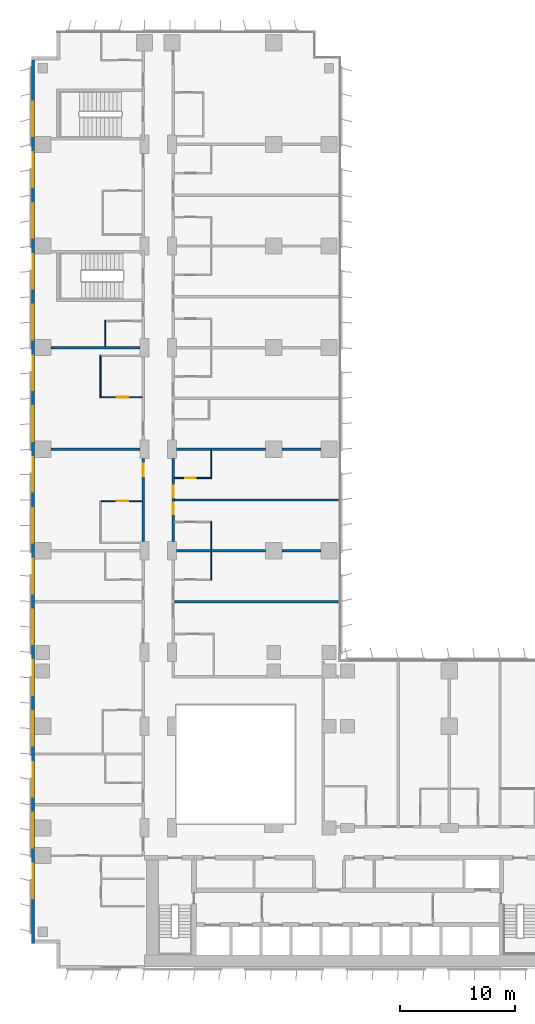
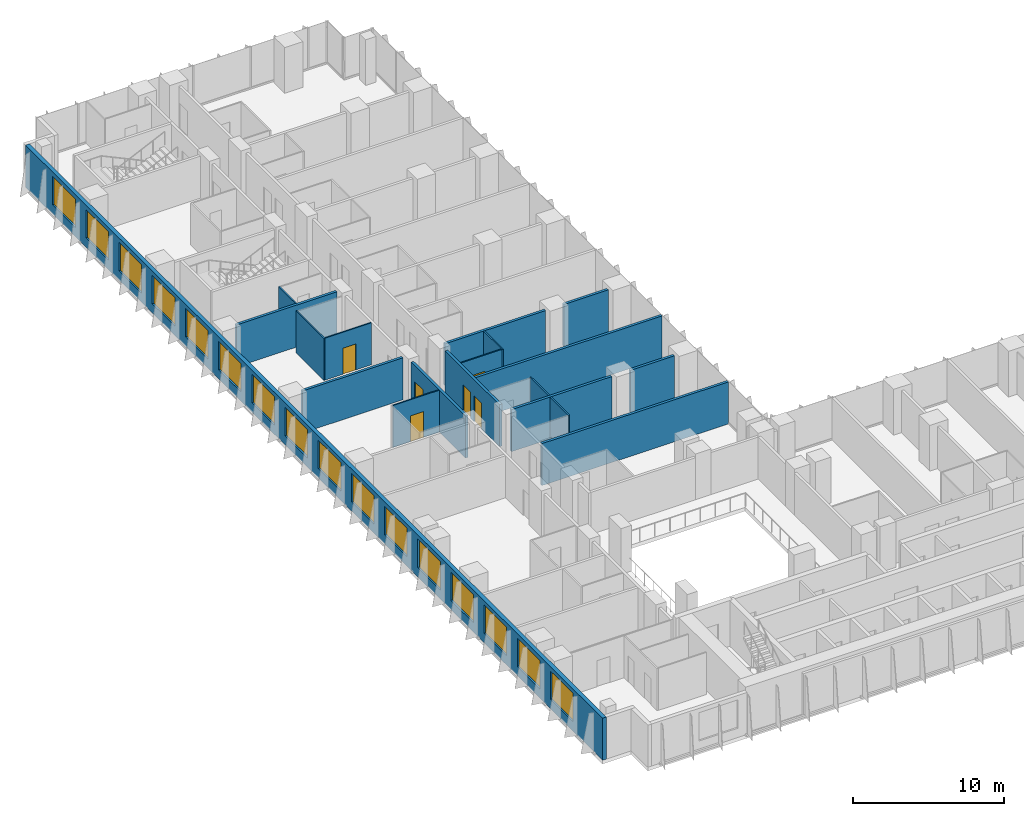
# One storey, part 16 of 24: 19 walls, 16 windows, 6 doors, 22 openings.
"""IFC4 building model written with IfcOpenShell, lengths in metres."""

from ifc_helpers import new_model, si_unit, direction, frame, frame_2d, origin, place, context, subcontext, project, spatial, rectangle, extrude, material, layer, layer_set, type_object, element, fill, save


model = new_model("IFC4")

# Units and contexts
model_context = context("Model", 3, precision=1e-05, world=origin(), true_north=direction((0.0, 1.0)))
body_context = subcontext(model_context, "Body", "Model", "MODEL_VIEW")
ifc_project = project(units=[si_unit("LENGTHUNIT", "METRE"), si_unit("AREAUNIT", "SQUARE_METRE"), si_unit("VOLUMEUNIT", "CUBIC_METRE"), si_unit("PLANEANGLEUNIT", "RADIAN"), si_unit("MASSUNIT", "GRAM", prefix="KILO")], contexts=[model_context])

# Site, building, storey
site_placement = place(None, origin())
site = spatial("IfcSite", under=ifc_project, at=site_placement, CompositionType="ELEMENT")
building_placement = place(site_placement, origin())
building = spatial("IfcBuilding", under=site, at=building_placement, Name="Kemantara Hotel Tower", CompositionType="ELEMENT")
storey_placement = place(building_placement, frame((0.0, 0.0, 56.199951171875)))
storey = spatial("IfcBuildingStorey", under=building, at=storey_placement, Name="L12", CompositionType="ELEMENT", Elevation=56.199951171875)

# Wall, openings, windows
ifc_material_1 = material(Name="Bronze anodised aluminium cladding on insulated steel stud wall", Category="steel")
ifc_layer_1 = layer(ifc_material_1, 0.300048828125)
ifc_layer_set_1 = layer_set([ifc_layer_1], Name="Bronze anodised aluminium cladding on insulated steel stud wall")
wall_type_1 = type_object("IfcWallType", Name="BRONZE METAL-CLAD EXTERNAL WALL 300", PredefinedType="STANDARD", material=ifc_layer_set_1)
wall_1_placement = place(storey_placement, frame((0.14990234375, 78.699951171875, 0.0), z_axis=(0.0, 0.0, 1.0), x_axis=(0.0, -1.0, 0.0)))
wall_1 = element("IfcWall", 1, at=wall_1_placement, inside=storey, type_object=wall_type_1, Name="EXTERNAL WALL L12 T1-R14", PredefinedType="STANDARD", context=body_context, shape_type="SweptSolid", body=[
    extrude(rectangle(XDim=76.5, YDim=0.300048828125, at=frame_2d((38.25, 0.0))), origin(), (0.0, 0.0, 1.0), 3.400146484375),
])
opening_1_placement = place(wall_1_placement, frame((3.60009765625, 0.0, 0.75)))
opening_1 = element("IfcOpeningElement", 2, at=opening_1_placement, cuts=wall_1, Name="Opening W1", PredefinedType="OPENING", context=body_context, shape_type="SweptSolid", body=[
    extrude(rectangle(XDim=3.0, YDim=2.300048828125, at=frame_2d((1.5, 1.14990234375))), frame((0.0, 0.159912109375, 0.0), z_axis=(0.0, -1.0, 0.0), x_axis=(1.0, 0.0, 0.0)), (0.0, 0.0, 1.0), 0.320068359375),
])
opening_2_placement = place(wall_1_placement, frame((8.0, 0.0, 0.75)))
opening_2 = element("IfcOpeningElement", 3, at=opening_2_placement, cuts=wall_1, Name="Opening W1", PredefinedType="OPENING", context=body_context, shape_type="SweptSolid", body=[
    extrude(rectangle(XDim=3.0, YDim=2.300048828125, at=frame_2d((1.5, 1.14990234375))), frame((0.0, 0.159912109375, 0.0), z_axis=(0.0, -1.0, 0.0), x_axis=(1.0, 0.0, 0.0)), (0.0, 0.0, 1.0), 0.320068359375),
])
opening_3_placement = place(wall_1_placement, frame((12.39990234375, 0.0, 0.75)))
opening_3 = element("IfcOpeningElement", 4, at=opening_3_placement, cuts=wall_1, Name="Opening W1", PredefinedType="OPENING", context=body_context, shape_type="SweptSolid", body=[
    extrude(rectangle(XDim=3.0, YDim=2.300048828125, at=frame_2d((1.5, 1.14990234375))), frame((0.0, 0.159912109375, 0.0), z_axis=(0.0, -1.0, 0.0), x_axis=(1.0, 0.0, 0.0)), (0.0, 0.0, 1.0), 0.320068359375),
])
opening_4_placement = place(wall_1_placement, frame((16.800048828125, 0.0, 0.75)))
opening_4 = element("IfcOpeningElement", 5, at=opening_4_placement, cuts=wall_1, Name="Opening W1", PredefinedType="OPENING", context=body_context, shape_type="SweptSolid", body=[
    extrude(rectangle(XDim=3.0, YDim=2.300048828125, at=frame_2d((1.5, 1.14990234375))), frame((0.0, 0.159912109375, 0.0), z_axis=(0.0, -1.0, 0.0), x_axis=(1.0, 0.0, 0.0)), (0.0, 0.0, 1.0), 0.320068359375),
])
opening_5_placement = place(wall_1_placement, frame((21.199951171875, 0.0, 0.75)))
opening_5 = element("IfcOpeningElement", 6, at=opening_5_placement, cuts=wall_1, Name="Opening W1", PredefinedType="OPENING", context=body_context, shape_type="SweptSolid", body=[
    extrude(rectangle(XDim=3.0, YDim=2.300048828125, at=frame_2d((1.5, 1.14990234375))), frame((0.0, 0.159912109375, 0.0), z_axis=(0.0, -1.0, 0.0), x_axis=(1.0, 0.0, 0.0)), (0.0, 0.0, 1.0), 0.320068359375),
])
opening_6_placement = place(wall_1_placement, frame((25.60009765625, 0.0, 0.75)))
opening_6 = element("IfcOpeningElement", 7, at=opening_6_placement, cuts=wall_1, Name="Opening W1", PredefinedType="OPENING", context=body_context, shape_type="SweptSolid", body=[
    extrude(rectangle(XDim=3.0, YDim=2.300048828125, at=frame_2d((1.5, 1.14990234375))), frame((0.0, 0.159912109375, 0.0), z_axis=(0.0, -1.0, 0.0), x_axis=(1.0, 0.0, 0.0)), (0.0, 0.0, 1.0), 0.320068359375),
])
opening_7_placement = place(wall_1_placement, frame((30.0, 0.0, 0.75)))
opening_7 = element("IfcOpeningElement", 8, at=opening_7_placement, cuts=wall_1, Name="Opening W1", PredefinedType="OPENING", context=body_context, shape_type="SweptSolid", body=[
    extrude(rectangle(XDim=3.0, YDim=2.300048828125, at=frame_2d((1.5, 1.14990234375))), frame((0.0, 0.159912109375, 0.0), z_axis=(0.0, -1.0, 0.0), x_axis=(1.0, 0.0, 0.0)), (0.0, 0.0, 1.0), 0.320068359375),
])
opening_8_placement = place(wall_1_placement, frame((34.39990234375, 0.0, 0.75)))
opening_8 = element("IfcOpeningElement", 9, at=opening_8_placement, cuts=wall_1, Name="Opening W1", PredefinedType="OPENING", context=body_context, shape_type="SweptSolid", body=[
    extrude(rectangle(XDim=3.0, YDim=2.300048828125, at=frame_2d((1.5, 1.14990234375))), frame((0.0, 0.159912109375, 0.0), z_axis=(0.0, -1.0, 0.0), x_axis=(1.0, 0.0, 0.0)), (0.0, 0.0, 1.0), 0.320068359375),
])
opening_9_placement = place(wall_1_placement, frame((38.800048828125, 0.0, 0.75)))
opening_9 = element("IfcOpeningElement", 10, at=opening_9_placement, cuts=wall_1, Name="Opening W1", PredefinedType="OPENING", context=body_context, shape_type="SweptSolid", body=[
    extrude(rectangle(XDim=3.0, YDim=2.300048828125, at=frame_2d((1.5, 1.14990234375))), frame((0.0, 0.159912109375, 0.0), z_axis=(0.0, -1.0, 0.0), x_axis=(1.0, 0.0, 0.0)), (0.0, 0.0, 1.0), 0.320068359375),
])
opening_10_placement = place(wall_1_placement, frame((43.199951171875, 0.0, 0.75)))
opening_10 = element("IfcOpeningElement", 11, at=opening_10_placement, cuts=wall_1, Name="Opening W1", PredefinedType="OPENING", context=body_context, shape_type="SweptSolid", body=[
    extrude(rectangle(XDim=3.0, YDim=2.300048828125, at=frame_2d((1.5, 1.14990234375))), frame((0.0, 0.159912109375, 0.0), z_axis=(0.0, -1.0, 0.0), x_axis=(1.0, 0.0, 0.0)), (0.0, 0.0, 1.0), 0.320068359375),
])
opening_11_placement = place(wall_1_placement, frame((47.60009765625, 0.0, 0.75)))
opening_11 = element("IfcOpeningElement", 12, at=opening_11_placement, cuts=wall_1, Name="Opening W1", PredefinedType="OPENING", context=body_context, shape_type="SweptSolid", body=[
    extrude(rectangle(XDim=3.0, YDim=2.300048828125, at=frame_2d((1.5, 1.14990234375))), frame((0.0, 0.159912109375, 0.0), z_axis=(0.0, -1.0, 0.0), x_axis=(1.0, 0.0, 0.0)), (0.0, 0.0, 1.0), 0.320068359375),
])
opening_12_placement = place(wall_1_placement, frame((52.0, 0.0, 0.75)))
opening_12 = element("IfcOpeningElement", 13, at=opening_12_placement, cuts=wall_1, Name="Opening W1", PredefinedType="OPENING", context=body_context, shape_type="SweptSolid", body=[
    extrude(rectangle(XDim=3.0, YDim=2.300048828125, at=frame_2d((1.5, 1.14990234375))), frame((0.0, 0.159912109375, 0.0), z_axis=(0.0, -1.0, 0.0), x_axis=(1.0, 0.0, 0.0)), (0.0, 0.0, 1.0), 0.320068359375),
])
opening_13_placement = place(wall_1_placement, frame((56.39990234375, 0.0, 0.75)))
opening_13 = element("IfcOpeningElement", 14, at=opening_13_placement, cuts=wall_1, Name="Opening W1", PredefinedType="OPENING", context=body_context, shape_type="SweptSolid", body=[
    extrude(rectangle(XDim=3.0, YDim=2.300048828125, at=frame_2d((1.5, 1.14990234375))), frame((0.0, 0.159912109375, 0.0), z_axis=(0.0, -1.0, 0.0), x_axis=(1.0, 0.0, 0.0)), (0.0, 0.0, 1.0), 0.320068359375),
])
opening_14_placement = place(wall_1_placement, frame((60.800048828125, 0.0, 0.75)))
opening_14 = element("IfcOpeningElement", 15, at=opening_14_placement, cuts=wall_1, Name="Opening W1", PredefinedType="OPENING", context=body_context, shape_type="SweptSolid", body=[
    extrude(rectangle(XDim=3.0, YDim=2.300048828125, at=frame_2d((1.5, 1.14990234375))), frame((0.0, 0.159912109375, 0.0), z_axis=(0.0, -1.0, 0.0), x_axis=(1.0, 0.0, 0.0)), (0.0, 0.0, 1.0), 0.320068359375),
])
opening_15_placement = place(wall_1_placement, frame((65.199951171875, 0.0, 0.75)))
opening_15 = element("IfcOpeningElement", 16, at=opening_15_placement, cuts=wall_1, Name="Opening W1", PredefinedType="OPENING", context=body_context, shape_type="SweptSolid", body=[
    extrude(rectangle(XDim=3.0, YDim=2.300048828125, at=frame_2d((1.5, 1.14990234375))), frame((0.0, 0.159912109375, 0.0), z_axis=(0.0, -1.0, 0.0), x_axis=(1.0, 0.0, 0.0)), (0.0, 0.0, 1.0), 0.320068359375),
])
opening_16_placement = place(wall_1_placement, frame((69.60009765625, 0.0, 0.75)))
opening_16 = element("IfcOpeningElement", 17, at=opening_16_placement, cuts=wall_1, Name="Opening W1", PredefinedType="OPENING", context=body_context, shape_type="SweptSolid", body=[
    extrude(rectangle(XDim=3.0, YDim=2.300048828125, at=frame_2d((1.5, 1.14990234375))), frame((0.0, 0.159912109375, 0.0), z_axis=(0.0, -1.0, 0.0), x_axis=(1.0, 0.0, 0.0)), (0.0, 0.0, 1.0), 0.320068359375),
])
ifc_material_2 = material(Name="Low-E tinted double insulated glass in bronze anodised aluminium frame", Category="aluminium")
window_type = type_object("IfcWindowType", Name="CHICAGO WINDOW, TRIPLE PANEL 3000x2300", PartitioningType="TRIPLE_PANEL_VERTICAL", PredefinedType="WINDOW", material=ifc_material_2)
window_1_placement = place(opening_1_placement, origin())
window_1 = element("IfcWindow", 18, at=window_1_placement, inside=storey, type_object=window_type, Name="CHICAGO WINDOW L12 T1-R14-54", OverallHeight=2.300048828125, OverallWidth=3.0, PartitioningType="SINGLE_PANEL", PredefinedType="WINDOW", context=body_context, shape_type="SweptSolid", body=[
    extrude(rectangle(XDim=3.0, YDim=2.300048828125, at=frame_2d((1.5, 1.14990234375))), frame((0.0, 0.030029296875, 0.0), z_axis=(0.0, -1.0, 0.0), x_axis=(1.0, 0.0, 0.0)), (0.0, 0.0, 1.0), 0.06005859375),
])
fill(opening_1, window_1)
window_2_placement = place(opening_2_placement, origin())
window_2 = element("IfcWindow", 19, at=window_2_placement, inside=storey, type_object=window_type, Name="CHICAGO WINDOW L12 T1-R14-98", OverallHeight=2.300048828125, OverallWidth=3.0, PartitioningType="SINGLE_PANEL", PredefinedType="WINDOW", context=body_context, shape_type="SweptSolid", body=[
    extrude(rectangle(XDim=3.0, YDim=2.300048828125, at=frame_2d((1.5, 1.14990234375))), frame((0.0, 0.030029296875, 0.0), z_axis=(0.0, -1.0, 0.0), x_axis=(1.0, 0.0, 0.0)), (0.0, 0.0, 1.0), 0.06005859375),
])
fill(opening_2, window_2)
window_3_placement = place(opening_3_placement, origin())
window_3 = element("IfcWindow", 20, at=window_3_placement, inside=storey, type_object=window_type, Name="CHICAGO WINDOW L12 T1-R14-142", OverallHeight=2.300048828125, OverallWidth=3.0, PartitioningType="SINGLE_PANEL", PredefinedType="WINDOW", context=body_context, shape_type="SweptSolid", body=[
    extrude(rectangle(XDim=3.0, YDim=2.300048828125, at=frame_2d((1.5, 1.14990234375))), frame((0.0, 0.030029296875, 0.0), z_axis=(0.0, -1.0, 0.0), x_axis=(1.0, 0.0, 0.0)), (0.0, 0.0, 1.0), 0.06005859375),
])
fill(opening_3, window_3)
window_4_placement = place(opening_4_placement, origin())
window_4 = element("IfcWindow", 21, at=window_4_placement, inside=storey, type_object=window_type, Name="CHICAGO WINDOW L12 T1-R14-186", OverallHeight=2.300048828125, OverallWidth=3.0, PartitioningType="SINGLE_PANEL", PredefinedType="WINDOW", context=body_context, shape_type="SweptSolid", body=[
    extrude(rectangle(XDim=3.0, YDim=2.300048828125, at=frame_2d((1.5, 1.14990234375))), frame((0.0, 0.030029296875, 0.0), z_axis=(0.0, -1.0, 0.0), x_axis=(1.0, 0.0, 0.0)), (0.0, 0.0, 1.0), 0.06005859375),
])
fill(opening_4, window_4)
window_5_placement = place(opening_5_placement, origin())
window_5 = element("IfcWindow", 22, at=window_5_placement, inside=storey, type_object=window_type, Name="CHICAGO WINDOW L12 T1-R14-230", OverallHeight=2.300048828125, OverallWidth=3.0, PartitioningType="SINGLE_PANEL", PredefinedType="WINDOW", context=body_context, shape_type="SweptSolid", body=[
    extrude(rectangle(XDim=3.0, YDim=2.300048828125, at=frame_2d((1.5, 1.14990234375))), frame((0.0, 0.030029296875, 0.0), z_axis=(0.0, -1.0, 0.0), x_axis=(1.0, 0.0, 0.0)), (0.0, 0.0, 1.0), 0.06005859375),
])
fill(opening_5, window_5)
window_6_placement = place(opening_6_placement, origin())
window_6 = element("IfcWindow", 23, at=window_6_placement, inside=storey, type_object=window_type, Name="CHICAGO WINDOW L12 T1-R14-274", OverallHeight=2.300048828125, OverallWidth=3.0, PartitioningType="SINGLE_PANEL", PredefinedType="WINDOW", context=body_context, shape_type="SweptSolid", body=[
    extrude(rectangle(XDim=3.0, YDim=2.300048828125, at=frame_2d((1.5, 1.14990234375))), frame((0.0, 0.030029296875, 0.0), z_axis=(0.0, -1.0, 0.0), x_axis=(1.0, 0.0, 0.0)), (0.0, 0.0, 1.0), 0.06005859375),
])
fill(opening_6, window_6)
window_7_placement = place(opening_7_placement, origin())
window_7 = element("IfcWindow", 24, at=window_7_placement, inside=storey, type_object=window_type, Name="CHICAGO WINDOW L12 T1-R14-318", OverallHeight=2.300048828125, OverallWidth=3.0, PartitioningType="SINGLE_PANEL", PredefinedType="WINDOW", context=body_context, shape_type="SweptSolid", body=[
    extrude(rectangle(XDim=3.0, YDim=2.300048828125, at=frame_2d((1.5, 1.14990234375))), frame((0.0, 0.030029296875, 0.0), z_axis=(0.0, -1.0, 0.0), x_axis=(1.0, 0.0, 0.0)), (0.0, 0.0, 1.0), 0.06005859375),
])
fill(opening_7, window_7)
window_8_placement = place(opening_8_placement, origin())
window_8 = element("IfcWindow", 25, at=window_8_placement, inside=storey, type_object=window_type, Name="CHICAGO WINDOW L12 T1-R14-362", OverallHeight=2.300048828125, OverallWidth=3.0, PartitioningType="SINGLE_PANEL", PredefinedType="WINDOW", context=body_context, shape_type="SweptSolid", body=[
    extrude(rectangle(XDim=3.0, YDim=2.300048828125, at=frame_2d((1.5, 1.14990234375))), frame((0.0, 0.030029296875, 0.0), z_axis=(0.0, -1.0, 0.0), x_axis=(1.0, 0.0, 0.0)), (0.0, 0.0, 1.0), 0.06005859375),
])
fill(opening_8, window_8)
window_9_placement = place(opening_9_placement, origin())
window_9 = element("IfcWindow", 26, at=window_9_placement, inside=storey, type_object=window_type, Name="CHICAGO WINDOW L12 T1-R14-406", OverallHeight=2.300048828125, OverallWidth=3.0, PartitioningType="SINGLE_PANEL", PredefinedType="WINDOW", context=body_context, shape_type="SweptSolid", body=[
    extrude(rectangle(XDim=3.0, YDim=2.300048828125, at=frame_2d((1.5, 1.14990234375))), frame((0.0, 0.030029296875, 0.0), z_axis=(0.0, -1.0, 0.0), x_axis=(1.0, 0.0, 0.0)), (0.0, 0.0, 1.0), 0.06005859375),
])
fill(opening_9, window_9)
window_10_placement = place(opening_10_placement, origin())
window_10 = element("IfcWindow", 27, at=window_10_placement, inside=storey, type_object=window_type, Name="CHICAGO WINDOW L12 T1-R14-450", OverallHeight=2.300048828125, OverallWidth=3.0, PartitioningType="SINGLE_PANEL", PredefinedType="WINDOW", context=body_context, shape_type="SweptSolid", body=[
    extrude(rectangle(XDim=3.0, YDim=2.300048828125, at=frame_2d((1.5, 1.14990234375))), frame((0.0, 0.030029296875, 0.0), z_axis=(0.0, -1.0, 0.0), x_axis=(1.0, 0.0, 0.0)), (0.0, 0.0, 1.0), 0.06005859375),
])
fill(opening_10, window_10)
window_11_placement = place(opening_11_placement, origin())
window_11 = element("IfcWindow", 28, at=window_11_placement, inside=storey, type_object=window_type, Name="CHICAGO WINDOW L12 T1-R14-494", OverallHeight=2.300048828125, OverallWidth=3.0, PartitioningType="SINGLE_PANEL", PredefinedType="WINDOW", context=body_context, shape_type="SweptSolid", body=[
    extrude(rectangle(XDim=3.0, YDim=2.300048828125, at=frame_2d((1.5, 1.14990234375))), frame((0.0, 0.030029296875, 0.0), z_axis=(0.0, -1.0, 0.0), x_axis=(1.0, 0.0, 0.0)), (0.0, 0.0, 1.0), 0.06005859375),
])
fill(opening_11, window_11)
window_12_placement = place(opening_12_placement, origin())
window_12 = element("IfcWindow", 29, at=window_12_placement, inside=storey, type_object=window_type, Name="CHICAGO WINDOW L12 T1-R14-538", OverallHeight=2.300048828125, OverallWidth=3.0, PartitioningType="SINGLE_PANEL", PredefinedType="WINDOW", context=body_context, shape_type="SweptSolid", body=[
    extrude(rectangle(XDim=3.0, YDim=2.300048828125, at=frame_2d((1.5, 1.14990234375))), frame((0.0, 0.030029296875, 0.0), z_axis=(0.0, -1.0, 0.0), x_axis=(1.0, 0.0, 0.0)), (0.0, 0.0, 1.0), 0.06005859375),
])
fill(opening_12, window_12)
window_13_placement = place(opening_13_placement, origin())
window_13 = element("IfcWindow", 30, at=window_13_placement, inside=storey, type_object=window_type, Name="CHICAGO WINDOW L12 T1-R14-582", OverallHeight=2.300048828125, OverallWidth=3.0, PartitioningType="SINGLE_PANEL", PredefinedType="WINDOW", context=body_context, shape_type="SweptSolid", body=[
    extrude(rectangle(XDim=3.0, YDim=2.300048828125, at=frame_2d((1.5, 1.14990234375))), frame((0.0, 0.030029296875, 0.0), z_axis=(0.0, -1.0, 0.0), x_axis=(1.0, 0.0, 0.0)), (0.0, 0.0, 1.0), 0.06005859375),
])
fill(opening_13, window_13)
window_14_placement = place(opening_14_placement, origin())
window_14 = element("IfcWindow", 31, at=window_14_placement, inside=storey, type_object=window_type, Name="CHICAGO WINDOW L12 T1-R14-626", OverallHeight=2.300048828125, OverallWidth=3.0, PartitioningType="SINGLE_PANEL", PredefinedType="WINDOW", context=body_context, shape_type="SweptSolid", body=[
    extrude(rectangle(XDim=3.0, YDim=2.300048828125, at=frame_2d((1.5, 1.14990234375))), frame((0.0, 0.030029296875, 0.0), z_axis=(0.0, -1.0, 0.0), x_axis=(1.0, 0.0, 0.0)), (0.0, 0.0, 1.0), 0.06005859375),
])
fill(opening_14, window_14)
window_15_placement = place(opening_15_placement, origin())
window_15 = element("IfcWindow", 32, at=window_15_placement, inside=storey, type_object=window_type, Name="CHICAGO WINDOW L12 T1-R14-670", OverallHeight=2.300048828125, OverallWidth=3.0, PartitioningType="SINGLE_PANEL", PredefinedType="WINDOW", context=body_context, shape_type="SweptSolid", body=[
    extrude(rectangle(XDim=3.0, YDim=2.300048828125, at=frame_2d((1.5, 1.14990234375))), frame((0.0, 0.030029296875, 0.0), z_axis=(0.0, -1.0, 0.0), x_axis=(1.0, 0.0, 0.0)), (0.0, 0.0, 1.0), 0.06005859375),
])
fill(opening_15, window_15)
window_16_placement = place(opening_16_placement, origin())
window_16 = element("IfcWindow", 33, at=window_16_placement, inside=storey, type_object=window_type, Name="CHICAGO WINDOW L12 T1-R14-714", OverallHeight=2.300048828125, OverallWidth=3.0, PartitioningType="SINGLE_PANEL", PredefinedType="WINDOW", context=body_context, shape_type="SweptSolid", body=[
    extrude(rectangle(XDim=3.0, YDim=2.300048828125, at=frame_2d((1.5, 1.14990234375))), frame((0.0, 0.030029296875, 0.0), z_axis=(0.0, -1.0, 0.0), x_axis=(1.0, 0.0, 0.0)), (0.0, 0.0, 1.0), 0.06005859375),
])
fill(opening_16, window_16)

# Wall, opening, door
ifc_material_3 = material(Name="Gypsum board partition, steel studs and mineral wool, 200 mm", Category="steel")
ifc_layer_2 = layer(ifc_material_3, 0.199951171875)
ifc_layer_set_2 = layer_set([ifc_layer_2], Name="Gypsum board partition, steel studs and mineral wool, 200 mm")
wall_type_2 = type_object("IfcWallType", Name="CORRIDOR WALL 200", PredefinedType="PARTITIONING", material=ifc_layer_set_2)
wall_2_placement = place(storey_placement, frame((9.699951171875, 37.0, 0.0), z_axis=(0.0, 0.0, 1.0), x_axis=(0.0, 1.0, 0.0)))
wall_2 = element("IfcWall", 34, at=wall_2_placement, inside=storey, type_object=wall_type_2, Name="CORRIDOR WALL 200 029", PredefinedType="PARTITIONING", context=body_context, shape_type="SweptSolid", body=[
    extrude(rectangle(XDim=7.199951171875, YDim=0.199951171875, at=frame_2d((3.60009765625, 0.0))), origin(), (0.0, 0.0, 1.0), 3.400146484375),
])
opening_17_placement = place(wall_2_placement, frame((5.64990234375, 0.0, 0.0)))
opening_17 = element("IfcOpeningElement", 35, at=opening_17_placement, cuts=wall_2, Name="Opening F04-039", PredefinedType="OPENING", context=body_context, shape_type="SweptSolid", body=[
    extrude(rectangle(XDim=1.10009765625, YDim=2.10009765625, at=frame_2d((0.550048828125, 1.050048828125))), frame((0.0, 0.10986328125, 0.0), z_axis=(0.0, -1.0, 0.0), x_axis=(1.0, 0.0, 0.0)), (0.0, 0.0, 1.0), 0.219970703125),
])
ifc_material_4 = material(Name="Hardwood veneer door leaf with steel frame", Category="steel")
door_type_1 = type_object("IfcDoorType", Name="GUEST ROOM DOOR 1100 X 2100 FD30S", OperationType="NOTDEFINED", PredefinedType="DOOR", material=ifc_material_4)
door_1_placement = place(opening_17_placement, origin())
door_1 = element("IfcDoor", 36, at=door_1_placement, inside=storey, type_object=door_type_1, Name="GUEST ROOM DOOR F04-039", OperationType="SINGLE_SWING_RIGHT", OverallHeight=2.10009765625, OverallWidth=1.10009765625, PredefinedType="DOOR", context=body_context, shape_type="SweptSolid", body=[
    extrude(rectangle(XDim=1.10009765625, YDim=2.10009765625, at=frame_2d((0.550048828125, 1.050048828125))), frame((0.0, 0.02490234375, 0.0), z_axis=(0.0, -1.0, 0.0), x_axis=(1.0, 0.0, 0.0)), (0.0, 0.0, 1.0), 0.050048828125),
])
fill(opening_17, door_1)

# Wall, openings, doors
wall_3_placement = place(storey_placement, frame((12.300048828125, 44.199951171875, 0.0), z_axis=(0.0, 0.0, 1.0), x_axis=(0.0, -1.0, 0.0)))
wall_3 = element("IfcWall", 37, at=wall_3_placement, inside=storey, type_object=wall_type_2, Name="CORRIDOR WALL 200 049", PredefinedType="PARTITIONING", context=body_context, shape_type="SweptSolid", body=[
    extrude(rectangle(XDim=7.199951171875, YDim=0.199951171875, at=frame_2d((3.60009765625, 0.0))), origin(), (0.0, 0.0, 1.0), 3.400146484375),
])
opening_18_placement = place(wall_3_placement, frame((3.849853515625, 0.0, 0.0)))
opening_18 = element("IfcOpeningElement", 38, at=opening_18_placement, cuts=wall_3, Name="Opening F04-053", PredefinedType="OPENING", context=body_context, shape_type="SweptSolid", body=[
    extrude(rectangle(XDim=1.0, YDim=2.10009765625, at=frame_2d((0.5, 1.050048828125))), frame((0.0, 0.10986328125, 0.0), z_axis=(0.0, -1.0, 0.0), x_axis=(1.0, 0.0, 0.0)), (0.0, 0.0, 1.0), 0.219970703125),
])
opening_19_placement = place(wall_3_placement, frame((2.349853515625, 0.0, 0.0)))
opening_19 = element("IfcOpeningElement", 39, at=opening_19_placement, cuts=wall_3, Name="Opening F04-055", PredefinedType="OPENING", context=body_context, shape_type="SweptSolid", body=[
    extrude(rectangle(XDim=1.0, YDim=2.10009765625, at=frame_2d((0.5, 1.050048828125))), frame((0.0, 0.10986328125, 0.0), z_axis=(0.0, -1.0, 0.0), x_axis=(1.0, 0.0, 0.0)), (0.0, 0.0, 1.0), 0.219970703125),
])
door_type_2 = type_object("IfcDoorType", Name="GUEST ROOM DOOR 1000 X 2100 FD30S", OperationType="NOTDEFINED", PredefinedType="DOOR", material=ifc_material_4)
door_2_placement = place(opening_18_placement, origin())
door_2 = element("IfcDoor", 40, at=door_2_placement, inside=storey, type_object=door_type_2, Name="GUEST ROOM DOOR F04-053", OperationType="SINGLE_SWING_LEFT", OverallHeight=2.10009765625, OverallWidth=1.0, PredefinedType="DOOR", context=body_context, shape_type="SweptSolid", body=[
    extrude(rectangle(XDim=1.0, YDim=2.10009765625, at=frame_2d((0.5, 1.050048828125))), frame((0.0, 0.02490234375, 0.0), z_axis=(0.0, -1.0, 0.0), x_axis=(1.0, 0.0, 0.0)), (0.0, 0.0, 1.0), 0.050048828125),
])
fill(opening_18, door_2)
door_3_placement = place(opening_19_placement, origin())
door_3 = element("IfcDoor", 41, at=door_3_placement, inside=storey, type_object=door_type_2, Name="GUEST ROOM DOOR F04-055", OperationType="SINGLE_SWING_RIGHT", OverallHeight=2.10009765625, OverallWidth=1.0, PredefinedType="DOOR", context=body_context, shape_type="SweptSolid", body=[
    extrude(rectangle(XDim=1.0, YDim=2.10009765625, at=frame_2d((0.5, 1.050048828125))), frame((0.0, 0.02490234375, 0.0), z_axis=(0.0, -1.0, 0.0), x_axis=(1.0, 0.0, 0.0)), (0.0, 0.0, 1.0), 0.050048828125),
])
fill(opening_19, door_3)

# Walls
ifc_layer_3 = layer(ifc_material_3, 0.199951171875)
ifc_layer_set_3 = layer_set([ifc_layer_3], Name="Gypsum board partition, steel studs and mineral wool, 200 mm")
wall_type_3 = type_object("IfcWallType", Name="GUEST ROOM PARTY WALL 200", PredefinedType="PARTITIONING", material=ifc_layer_set_3)
wall_4_placement = place(storey_placement, frame((12.39990234375, 31.800048828125, 0.0), z_axis=(0.0, 0.0, 1.0), x_axis=(1.0, 0.0, 0.0)))
element("IfcWall", 42, at=wall_4_placement, inside=storey, type_object=wall_type_3, Name="GUEST ROOM PARTY WALL 200 037", PredefinedType="PARTITIONING", context=body_context, shape_type="SweptSolid", body=[
    extrude(rectangle(XDim=14.27001953125, YDim=0.199951171875, at=frame_2d((7.135009765625, 0.0))), origin(), (0.0, 0.0, 1.0), 3.400146484375),
])
wall_5_placement = place(storey_placement, frame((12.60009765625, 36.199951171875, 0.0), z_axis=(0.0, 0.0, 1.0), x_axis=(1.0, 0.0, 0.0)))
element("IfcWall", 43, at=wall_5_placement, inside=storey, type_object=wall_type_3, Name="GUEST ROOM PARTY WALL 200 039", PredefinedType="PARTITIONING", context=body_context, shape_type="SweptSolid", body=[
    extrude(rectangle(XDim=7.69970703125, YDim=0.199951171875, at=frame_2d((3.849853515625, 0.0))), origin(), (0.0, 0.0, 1.0), 3.400146484375),
])
wall_6_placement = place(storey_placement, frame((21.7001953125, 36.199951171875, 0.0), z_axis=(0.0, 0.0, 1.0), x_axis=(1.0, 0.0, 0.0)))
element("IfcWall", 44, at=wall_6_placement, inside=storey, type_object=wall_type_3, Name="GUEST ROOM PARTY WALL 200 040", PredefinedType="PARTITIONING", context=body_context, shape_type="SweptSolid", body=[
    extrude(rectangle(XDim=3.399658203125, YDim=0.199951171875, at=frame_2d((1.69970703125, 0.0))), origin(), (0.0, 0.0, 1.0), 3.400146484375),
])
for number, where, z_axis, x_axis, name in (
    (45, (1.7001953125, 45.0, 0.0), (0.0, 0.0, 1.0), (1.0, 0.0, 0.0), "GUEST ROOM PARTY WALL 200 041"),
    (46, (12.60009765625, 45.0, 0.0), (0.0, 0.0, 1.0), (1.0, 0.0, 0.0), "GUEST ROOM PARTY WALL 200 042"),
):
    element("IfcWall", number, at=place(storey_placement, frame(where, z_axis=z_axis, x_axis=x_axis)), inside=storey, type_object=wall_type_3, Name=name, PredefinedType="PARTITIONING", context=body_context, shape_type="SweptSolid", body=[
        extrude(rectangle(XDim=7.69970703125, YDim=0.199951171875, at=frame_2d((3.849853515625, 0.0))), origin(), (0.0, 0.0, 1.0), 3.400146484375),
    ])
wall_7_placement = place(storey_placement, frame((21.7001953125, 45.0, 0.0), z_axis=(0.0, 0.0, 1.0), x_axis=(1.0, 0.0, 0.0)))
element("IfcWall", 47, at=wall_7_placement, inside=storey, type_object=wall_type_3, Name="GUEST ROOM PARTY WALL 200 043", PredefinedType="PARTITIONING", context=body_context, shape_type="SweptSolid", body=[
    extrude(rectangle(XDim=3.399658203125, YDim=0.199951171875, at=frame_2d((1.69970703125, 0.0))), origin(), (0.0, 0.0, 1.0), 3.400146484375),
])
wall_8_placement = place(storey_placement, frame((1.7001953125, 53.800048828125, 0.0), z_axis=(0.0, 0.0, 1.0), x_axis=(1.0, 0.0, 0.0)))
element("IfcWall", 48, at=wall_8_placement, inside=storey, type_object=wall_type_3, Name="GUEST ROOM PARTY WALL 200 044", PredefinedType="PARTITIONING", context=body_context, shape_type="SweptSolid", body=[
    extrude(rectangle(XDim=7.69970703125, YDim=0.199951171875, at=frame_2d((3.849853515625, 0.0))), origin(), (0.0, 0.0, 1.0), 3.400146484375),
])
wall_9_placement = place(storey_placement, frame((12.39990234375, 40.60009765625, 0.0), z_axis=(0.0, 0.0, 1.0), x_axis=(1.0, 0.0, 0.0)))
element("IfcWall", 49, at=wall_9_placement, inside=storey, type_object=wall_type_3, Name="GUEST ROOM PARTY WALL 200 057", PredefinedType="PARTITIONING", context=body_context, shape_type="SweptSolid", body=[
    extrude(rectangle(XDim=14.27001953125, YDim=0.199951171875, at=frame_2d((7.135009765625, 0.0))), origin(), (0.0, 0.0, 1.0), 3.400146484375),
])
ifc_material_5 = material(Name="Gypsum board partition on steel studs, 100 mm", Category="steel")
ifc_layer_4 = layer(ifc_material_5, 0.10009765625)
ifc_layer_set_4 = layer_set([ifc_layer_4], Name="Gypsum board partition on steel studs, 100 mm")
wall_type_4 = type_object("IfcWallType", Name="ROOM PARTITION 100", PredefinedType="PARTITIONING", material=ifc_layer_set_4)
wall_10_placement = place(storey_placement, frame((6.39990234375, 53.89990234375, 0.0), z_axis=(0.0, 0.0, 1.0), x_axis=(0.0, 1.0, 0.0)))
element("IfcWall", 50, at=wall_10_placement, inside=storey, type_object=wall_type_4, Name="ROOM PARTITION 100 101", PredefinedType="PARTITIONING", context=body_context, shape_type="SweptSolid", body=[
    extrude(rectangle(XDim=2.25, YDim=0.10009765625, at=frame_2d((1.125, 0.0))), origin(), (0.0, 0.0, 1.0), 3.400146484375),
])
wall_11_placement = place(storey_placement, frame((6.0, 49.449951171875, 0.0), z_axis=(0.0, 0.0, 1.0), x_axis=(0.0, 1.0, 0.0)))
element("IfcWall", 51, at=wall_11_placement, inside=storey, type_object=wall_type_4, Name="ROOM PARTITION 100 109", PredefinedType="PARTITIONING", context=body_context, shape_type="SweptSolid", body=[
    extrude(rectangle(XDim=3.699951171875, YDim=0.10009765625, at=frame_2d((1.85009765625, 0.0))), origin(), (0.0, 0.0, 1.0), 3.400146484375),
])

# Wall, opening, door
wall_12_placement = place(storey_placement, frame((9.60009765625, 40.5, 0.0), z_axis=(0.0, 0.0, 1.0), x_axis=(-1.0, 0.0, 0.0)))
wall_12 = element("IfcWall", 52, at=wall_12_placement, inside=storey, type_object=wall_type_4, Name="ROOM PARTITION 100 111", PredefinedType="PARTITIONING", context=body_context, shape_type="SweptSolid", body=[
    extrude(rectangle(XDim=3.550048828125, YDim=0.10009765625, at=frame_2d((1.77490234375, 0.0))), origin(), (0.0, 0.0, 1.0), 3.400146484375),
])
opening_20_placement = place(wall_12_placement, frame((1.199951171875, 0.0, 0.0)))
opening_20 = element("IfcOpeningElement", 53, at=opening_20_placement, cuts=wall_12, Name="Opening F04-040", PredefinedType="OPENING", context=body_context, shape_type="SweptSolid", body=[
    extrude(rectangle(XDim=1.0, YDim=2.10009765625, at=frame_2d((0.5, 1.050048828125))), frame((0.0, 0.06005859375, 0.0), z_axis=(0.0, -1.0, 0.0), x_axis=(1.0, 0.0, 0.0)), (0.0, 0.0, 1.0), 0.1201171875),
])
door_type_3 = type_object("IfcDoorType", Name="BATHROOM DOOR 1000 X 2100", OperationType="NOTDEFINED", PredefinedType="DOOR", material=ifc_material_4)
door_4_placement = place(opening_20_placement, origin())
door_4 = element("IfcDoor", 54, at=door_4_placement, inside=storey, type_object=door_type_3, Name="BATHROOM DOOR F04-040", OperationType="SINGLE_SWING_LEFT", OverallHeight=2.10009765625, OverallWidth=1.0, PredefinedType="DOOR", context=body_context, shape_type="SweptSolid", body=[
    extrude(rectangle(XDim=1.0, YDim=2.10009765625, at=frame_2d((0.5, 1.050048828125))), frame((0.0, 0.02490234375, 0.0), z_axis=(0.0, -1.0, 0.0), x_axis=(1.0, 0.0, 0.0)), (0.0, 0.0, 1.0), 0.050048828125),
])
fill(opening_20, door_4)

wall_13_placement = place(storey_placement, frame((6.050048828125, 49.5, 0.0), z_axis=(0.0, 0.0, 1.0), x_axis=(1.0, 0.0, 0.0)))
wall_13 = element("IfcWall", 55, at=wall_13_placement, inside=storey, type_object=wall_type_4, Name="ROOM PARTITION 100 112", PredefinedType="PARTITIONING", context=body_context, shape_type="SweptSolid", body=[
    extrude(rectangle(XDim=3.550048828125, YDim=0.10009765625, at=frame_2d((1.77490234375, 0.0))), origin(), (0.0, 0.0, 1.0), 3.400146484375),
])
opening_21_placement = place(wall_13_placement, frame((1.35009765625, 0.0, 0.0)))
opening_21 = element("IfcOpeningElement", 56, at=opening_21_placement, cuts=wall_13, Name="Opening F04-042", PredefinedType="OPENING", context=body_context, shape_type="SweptSolid", body=[
    extrude(rectangle(XDim=1.0, YDim=2.10009765625, at=frame_2d((0.5, 1.050048828125))), frame((0.0, 0.06005859375, 0.0), z_axis=(0.0, -1.0, 0.0), x_axis=(1.0, 0.0, 0.0)), (0.0, 0.0, 1.0), 0.1201171875),
])
door_5_placement = place(opening_21_placement, origin())
door_5 = element("IfcDoor", 57, at=door_5_placement, inside=storey, type_object=door_type_3, Name="BATHROOM DOOR F04-042", OperationType="SINGLE_SWING_RIGHT", OverallHeight=2.10009765625, OverallWidth=1.0, PredefinedType="DOOR", context=body_context, shape_type="SweptSolid", body=[
    extrude(rectangle(XDim=1.0, YDim=2.10009765625, at=frame_2d((0.5, 1.050048828125))), frame((0.0, 0.02490234375, 0.0), z_axis=(0.0, -1.0, 0.0), x_axis=(1.0, 0.0, 0.0)), (0.0, 0.0, 1.0), 0.050048828125),
])
fill(opening_21, door_5)

# Walls
wall_14_placement = place(storey_placement, frame((15.60009765625, 33.64990234375, 0.0), z_axis=(0.0, 0.0, 1.0), x_axis=(0.0, 1.0, 0.0)))
element("IfcWall", 58, at=wall_14_placement, inside=storey, type_object=wall_type_4, Name="ROOM PARTITION 100 120", PredefinedType="PARTITIONING", context=body_context, shape_type="SweptSolid", body=[
    extrude(rectangle(XDim=2.4501953125, YDim=0.10009765625, at=frame_2d((1.22509765625, 0.0))), origin(), (0.0, 0.0, 1.0), 3.400146484375),
])
for number, where, z_axis, x_axis, name in (
    (59, (15.60009765625, 36.300048828125, 0.0), (0.0, 0.0, 1.0), (0.0, 1.0, 0.0), "ROOM PARTITION 100 121"),
    (60, (15.60009765625, 42.449951171875, 0.0), (0.0, 0.0, 1.0), (0.0, 1.0, 0.0), "ROOM PARTITION 100 122"),
):
    element("IfcWall", number, at=place(storey_placement, frame(where, z_axis=z_axis, x_axis=x_axis)), inside=storey, type_object=wall_type_4, Name=name, PredefinedType="PARTITIONING", context=body_context, shape_type="SweptSolid", body=[
        extrude(rectangle(XDim=2.449951171875, YDim=0.10009765625, at=frame_2d((1.22509765625, 0.0))), origin(), (0.0, 0.0, 1.0), 3.400146484375),
    ])

# Wall, opening, door
wall_15_placement = place(storey_placement, frame((12.39990234375, 42.5, 0.0), z_axis=(0.0, 0.0, 1.0), x_axis=(1.0, 0.0, 0.0)))
wall_15 = element("IfcWall", 61, at=wall_15_placement, inside=storey, type_object=wall_type_4, Name="ROOM PARTITION 100 129", PredefinedType="PARTITIONING", context=body_context, shape_type="SweptSolid", body=[
    extrude(rectangle(XDim=3.150146484375, YDim=0.10009765625, at=frame_2d((1.5751953125, 0.0))), origin(), (0.0, 0.0, 1.0), 3.400146484375),
])
opening_22_placement = place(wall_15_placement, frame((0.949951171875, 0.0, 0.0)))
opening_22 = element("IfcOpeningElement", 62, at=opening_22_placement, cuts=wall_15, Name="Opening F04-056", PredefinedType="OPENING", context=body_context, shape_type="SweptSolid", body=[
    extrude(rectangle(XDim=0.89990234375, YDim=2.10009765625, at=frame_2d((0.449951171875, 1.050048828125))), frame((0.0, 0.06005859375, 0.0), z_axis=(0.0, -1.0, 0.0), x_axis=(1.0, 0.0, 0.0)), (0.0, 0.0, 1.0), 0.1201171875),
])
door_type_4 = type_object("IfcDoorType", Name="BATHROOM DOOR 900 X 2100", OperationType="NOTDEFINED", PredefinedType="DOOR", material=ifc_material_4)
door_6_placement = place(opening_22_placement, origin())
door_6 = element("IfcDoor", 63, at=door_6_placement, inside=storey, type_object=door_type_4, Name="BATHROOM DOOR F04-056", OperationType="SINGLE_SWING_LEFT", OverallHeight=2.10009765625, OverallWidth=0.89990234375, PredefinedType="DOOR", context=body_context, shape_type="SweptSolid", body=[
    extrude(rectangle(XDim=0.89990234375, YDim=2.10009765625, at=frame_2d((0.449951171875, 1.050048828125))), frame((0.0, 0.02490234375, 0.0), z_axis=(0.0, -1.0, 0.0), x_axis=(1.0, 0.0, 0.0)), (0.0, 0.0, 1.0), 0.050048828125),
])
fill(opening_22, door_6)

save(model, "model.ifc")
